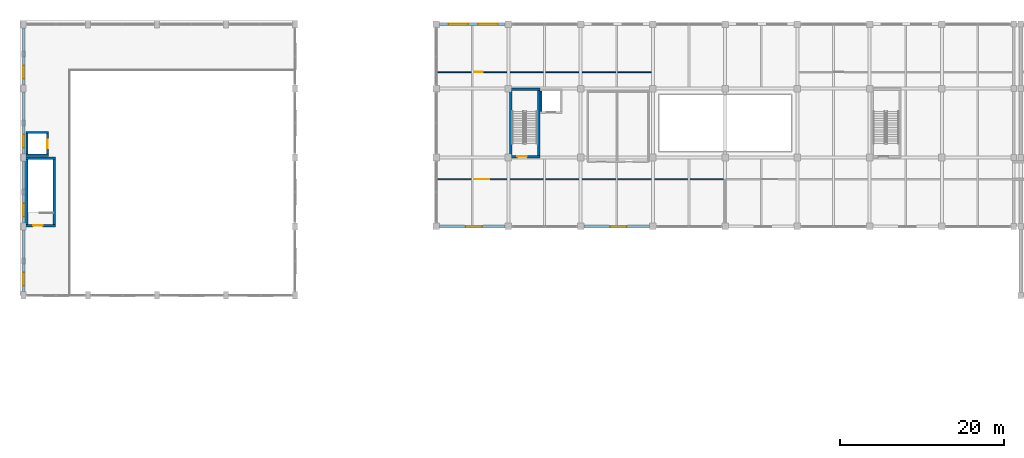
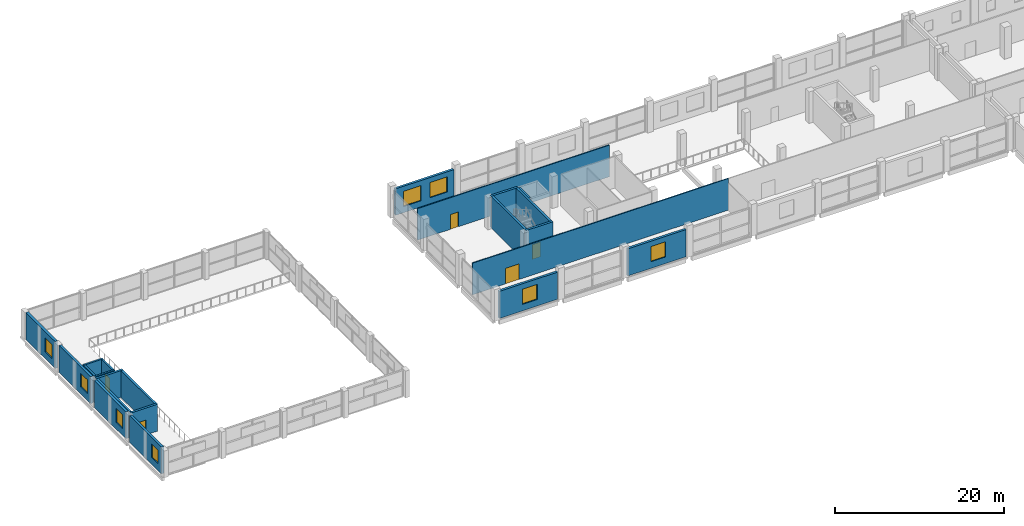
# One storey, part 20 of 31: 22 walls, 8 windows, 5 doors, 13 openings.
"""IFC4 building model written with IfcOpenShell, lengths in metres."""

from ifc_helpers import new_model, si_unit, direction, frame, frame_2d, origin, place, context, subcontext, project, spatial, rectangle, extrude, material, layer, layer_set, type_object, element, fill, save


model = new_model("IFC4")

# Units and contexts
model_context = context("Model", 3, precision=1e-05, world=origin(), true_north=direction((0.0, 1.0)))
body_context = subcontext(model_context, "Body", "Model", "MODEL_VIEW")
ifc_project = project(units=[si_unit("LENGTHUNIT", "METRE"), si_unit("AREAUNIT", "SQUARE_METRE"), si_unit("VOLUMEUNIT", "CUBIC_METRE"), si_unit("PLANEANGLEUNIT", "RADIAN"), si_unit("MASSUNIT", "GRAM", prefix="KILO")], contexts=[model_context])

# Site, building, storey
site_placement = place(None, origin())
site = spatial("IfcSite", under=ifc_project, at=site_placement, CompositionType="ELEMENT")
building_placement = place(site_placement, origin())
building = spatial("IfcBuilding", under=site, at=building_placement, Name="Brinegate Botanical Conservatory", CompositionType="ELEMENT")
storey_placement = place(building_placement, frame((0.0, 0.0, 5.39990234375)))
storey = spatial("IfcBuildingStorey", under=building, at=storey_placement, Name="L02", CompositionType="ELEMENT", Elevation=5.39990234375)

# Wall, openings, windows
ifc_material_1 = material(Name="Insulated Minnan red clay brick masonry", Category="masonry")
ifc_layer_1 = layer(ifc_material_1, 0.320068359375, Name="Insulated Minnan red clay brick masonry", Category="masonry")
ifc_layer_set_1 = layer_set([ifc_layer_1], Name="Insulated Minnan red clay brick masonry")
wall_type_1 = type_object("IfcWallType", Name="Wall_EW-320B", PredefinedType="STANDARD", material=ifc_layer_set_1)
wall_1_placement = place(storey_placement, frame((51.199951171875, 111.449951171875, 0.0), z_axis=(0.0, 0.0, 1.0), x_axis=(1.0, 0.0, 0.0)))
wall_1 = element("IfcWall", 1, at=wall_1_placement, inside=storey, type_object=wall_type_1, Name="Visitor north brick bay wall L02.1", PredefinedType="STANDARD", context=body_context, shape_type="SweptSolid", body=[
    extrude(rectangle(XDim=8.0, YDim=0.320068359375, at=frame_2d((4.0, 0.0))), origin(), (0.0, 0.0, 1.0), 3.830078125),
])
opening_1_placement = place(wall_1_placement, frame((1.10009765625, 0.0, 0.89990234375)))
opening_1 = element("IfcOpeningElement", 2, at=opening_1_placement, cuts=wall_1, Name="Opening WN-09", PredefinedType="OPENING", context=body_context, shape_type="SweptSolid", body=[
    extrude(rectangle(XDim=2.39990234375, YDim=2.199951171875, at=frame_2d((1.199951171875, 1.10009765625))), frame((0.0, 0.169921875, 0.0), z_axis=(0.0, -1.0, 0.0), x_axis=(1.0, 0.0, 0.0)), (0.0, 0.0, 1.0), 0.340087890625),
])
opening_2_placement = place(wall_1_placement, frame((4.699951171875, 0.0, 0.89990234375)))
opening_2 = element("IfcOpeningElement", 3, at=opening_2_placement, cuts=wall_1, Name="Opening WN-09", PredefinedType="OPENING", context=body_context, shape_type="SweptSolid", body=[
    extrude(rectangle(XDim=2.39990234375, YDim=2.199951171875, at=frame_2d((1.199951171875, 1.10009765625))), frame((0.0, 0.169921875, 0.0), z_axis=(0.0, -1.0, 0.0), x_axis=(1.0, 0.0, 0.0)), (0.0, 0.0, 1.0), 0.340087890625),
])
ifc_material_2 = material(Name="Thermally broken aluminium-framed Low-E glass", Category="aluminium")
window_type_1 = type_object("IfcWindowType", Name="Win_WN-09", PartitioningType="TRIPLE_PANEL_VERTICAL", PredefinedType="WINDOW", material=ifc_material_2)
window_1_placement = place(opening_1_placement, origin())
window_1 = element("IfcWindow", 4, at=window_1_placement, inside=storey, type_object=window_type_1, Name="Visitor north window L02.1A", OverallHeight=2.199951171875, OverallWidth=2.39990234375, PartitioningType="TRIPLE_PANEL_VERTICAL", PredefinedType="WINDOW", context=body_context, shape_type="SweptSolid", body=[
    extrude(rectangle(XDim=2.39990234375, YDim=2.199951171875, at=frame_2d((1.199951171875, 1.10009765625))), frame((0.0, 0.030029296875, 0.0), z_axis=(0.0, -1.0, 0.0), x_axis=(1.0, 0.0, 0.0)), (0.0, 0.0, 1.0), 0.06005859375),
])
fill(opening_1, window_1)
window_2_placement = place(opening_2_placement, origin())
window_2 = element("IfcWindow", 5, at=window_2_placement, inside=storey, type_object=window_type_1, Name="Visitor north window L02.1B", OverallHeight=2.199951171875, OverallWidth=2.39990234375, PartitioningType="TRIPLE_PANEL_VERTICAL", PredefinedType="WINDOW", context=body_context, shape_type="SweptSolid", body=[
    extrude(rectangle(XDim=2.39990234375, YDim=2.199951171875, at=frame_2d((1.199951171875, 1.10009765625))), frame((0.0, 0.030029296875, 0.0), z_axis=(0.0, -1.0, 0.0), x_axis=(1.0, 0.0, 0.0)), (0.0, 0.0, 1.0), 0.06005859375),
])
fill(opening_2, window_2)

# Wall, opening, window
wall_2_placement = place(storey_placement, frame((59.199951171875, 86.800048828125, 0.0), z_axis=(0.0, 0.0, 1.0), x_axis=(-1.0, 0.0, 0.0)))
wall_2 = element("IfcWall", 6, at=wall_2_placement, inside=storey, type_object=wall_type_1, Name="Visitor south brick wall L02.1", PredefinedType="STANDARD", context=body_context, shape_type="SweptSolid", body=[
    extrude(rectangle(XDim=8.0, YDim=0.320068359375, at=frame_2d((4.0, 0.0))), origin(), (0.0, 0.0, 1.0), 3.93017578125),
])
opening_3_placement = place(wall_2_placement, frame((2.800048828125, 0.0, 0.949951171875)))
opening_3 = element("IfcOpeningElement", 7, at=opening_3_placement, cuts=wall_2, Name="Opening WN-11", PredefinedType="OPENING", context=body_context, shape_type="SweptSolid", body=[
    extrude(rectangle(XDim=2.0, YDim=2.199951171875, at=frame_2d((1.0, 1.10009765625))), frame((0.0, 0.169921875, 0.0), z_axis=(0.0, -1.0, 0.0), x_axis=(1.0, 0.0, 0.0)), (0.0, 0.0, 1.0), 0.340087890625),
])
window_type_2 = type_object("IfcWindowType", Name="Win_WN-11", PartitioningType="DOUBLE_PANEL_VERTICAL", PredefinedType="WINDOW", material=ifc_material_2)
window_3_placement = place(opening_3_placement, origin())
window_3 = element("IfcWindow", 8, at=window_3_placement, inside=storey, type_object=window_type_2, Name="Visitor south court window L02.1", OverallHeight=2.199951171875, OverallWidth=2.0, PartitioningType="DOUBLE_PANEL_VERTICAL", PredefinedType="WINDOW", context=body_context, shape_type="SweptSolid", body=[
    extrude(rectangle(XDim=2.0, YDim=2.199951171875, at=frame_2d((1.0, 1.10009765625))), frame((0.0, 0.030029296875, 0.0), z_axis=(0.0, -1.0, 0.0), x_axis=(1.0, 0.0, 0.0)), (0.0, 0.0, 1.0), 0.06005859375),
])
fill(opening_3, window_3)

wall_3_placement = place(storey_placement, frame((76.800048828125, 86.800048828125, 0.0), z_axis=(0.0, 0.0, 1.0), x_axis=(-1.0, 0.0, 0.0)))
wall_3 = element("IfcWall", 9, at=wall_3_placement, inside=storey, type_object=wall_type_1, Name="Visitor south brick wall L02.3", PredefinedType="STANDARD", context=body_context, shape_type="SweptSolid", body=[
    extrude(rectangle(XDim=8.0, YDim=0.320068359375, at=frame_2d((4.0, 0.0))), origin(), (0.0, 0.0, 1.0), 3.93017578125),
])
opening_4_placement = place(wall_3_placement, frame((2.800048828125, 0.0, 0.949951171875)))
opening_4 = element("IfcOpeningElement", 10, at=opening_4_placement, cuts=wall_3, Name="Opening WN-11", PredefinedType="OPENING", context=body_context, shape_type="SweptSolid", body=[
    extrude(rectangle(XDim=2.0, YDim=2.199951171875, at=frame_2d((1.0, 1.10009765625))), frame((0.0, 0.169921875, 0.0), z_axis=(0.0, -1.0, 0.0), x_axis=(1.0, 0.0, 0.0)), (0.0, 0.0, 1.0), 0.340087890625),
])
window_4_placement = place(opening_4_placement, origin())
window_4 = element("IfcWindow", 11, at=window_4_placement, inside=storey, type_object=window_type_2, Name="Visitor south court window L02.3", OverallHeight=2.199951171875, OverallWidth=2.0, PartitioningType="DOUBLE_PANEL_VERTICAL", PredefinedType="WINDOW", context=body_context, shape_type="SweptSolid", body=[
    extrude(rectangle(XDim=2.0, YDim=2.199951171875, at=frame_2d((1.0, 1.10009765625))), frame((0.0, 0.030029296875, 0.0), z_axis=(0.0, -1.0, 0.0), x_axis=(1.0, 0.0, 0.0)), (0.0, 0.0, 1.0), 0.06005859375),
])
fill(opening_4, window_4)

ifc_layer_2 = layer(ifc_material_1, 0.340087890625, Name="Insulated Minnan red clay brick masonry", Category="masonry")
ifc_layer_set_2 = layer_set([ifc_layer_2], Name="Insulated Minnan red clay brick masonry")
wall_type_2 = type_object("IfcWallType", Name="Wall_EW-340B", PredefinedType="STANDARD", material=ifc_layer_set_2)
wall_4_placement = place(storey_placement, frame((0.550048828125, 78.85009765625, 0.0), z_axis=(0.0, 0.0, 1.0), x_axis=(0.0, 1.0, 0.0)))
wall_4 = element("IfcWall", 12, at=wall_4_placement, inside=storey, type_object=wall_type_2, Name="Conservatory west red-brick wall L02.1", PredefinedType="STANDARD", context=body_context, shape_type="SweptSolid", body=[
    extrude(rectangle(XDim=7.5, YDim=0.340087890625, at=frame_2d((3.75, 0.0))), origin(), (0.0, 0.0, 1.0), 3.900146484375),
])
opening_5_placement = place(wall_4_placement, frame((0.75, 0.0, 1.0)))
opening_5 = element("IfcOpeningElement", 13, at=opening_5_placement, cuts=wall_4, Name="Opening WN-12", PredefinedType="OPENING", context=body_context, shape_type="SweptSolid", body=[
    extrude(rectangle(XDim=1.60009765625, YDim=2.0, at=frame_2d((0.800048828125, 1.0))), frame((0.0, 0.179931640625, 0.0), z_axis=(0.0, -1.0, 0.0), x_axis=(1.0, 0.0, 0.0)), (0.0, 0.0, 1.0), 0.360107421875),
])
window_type_3 = type_object("IfcWindowType", Name="Win_WN-12", PartitioningType="DOUBLE_PANEL_VERTICAL", PredefinedType="WINDOW", material=ifc_material_2)
window_5_placement = place(opening_5_placement, origin())
window_5 = element("IfcWindow", 14, at=window_5_placement, inside=storey, type_object=window_type_3, Name="Conservatory west gallery window L02.1", OverallHeight=2.0, OverallWidth=1.60009765625, PartitioningType="DOUBLE_PANEL_VERTICAL", PredefinedType="WINDOW", context=body_context, shape_type="SweptSolid", body=[
    extrude(rectangle(XDim=1.60009765625, YDim=2.0, at=frame_2d((0.800048828125, 1.0))), frame((0.0, 0.030029296875, 0.0), z_axis=(0.0, -1.0, 0.0), x_axis=(1.0, 0.0, 0.0)), (0.0, 0.0, 1.0), 0.06005859375),
])
fill(opening_5, window_5)

wall_5_placement = place(storey_placement, frame((0.550048828125, 87.25, 0.0), z_axis=(0.0, 0.0, 1.0), x_axis=(0.0, 1.0, 0.0)))
wall_5 = element("IfcWall", 15, at=wall_5_placement, inside=storey, type_object=wall_type_2, Name="Conservatory west red-brick wall L02.2", PredefinedType="STANDARD", context=body_context, shape_type="SweptSolid", body=[
    extrude(rectangle(XDim=7.5, YDim=0.340087890625, at=frame_2d((3.75, 0.0))), origin(), (0.0, 0.0, 1.0), 3.900146484375),
])
opening_6_placement = place(wall_5_placement, frame((0.75, 0.0, 1.0)))
opening_6 = element("IfcOpeningElement", 16, at=opening_6_placement, cuts=wall_5, Name="Opening WN-12", PredefinedType="OPENING", context=body_context, shape_type="SweptSolid", body=[
    extrude(rectangle(XDim=1.60009765625, YDim=2.0, at=frame_2d((0.800048828125, 1.0))), frame((0.0, 0.179931640625, 0.0), z_axis=(0.0, -1.0, 0.0), x_axis=(1.0, 0.0, 0.0)), (0.0, 0.0, 1.0), 0.360107421875),
])
window_6_placement = place(opening_6_placement, origin())
window_6 = element("IfcWindow", 17, at=window_6_placement, inside=storey, type_object=window_type_3, Name="Conservatory west gallery window L02.2", OverallHeight=2.0, OverallWidth=1.60009765625, PartitioningType="DOUBLE_PANEL_VERTICAL", PredefinedType="WINDOW", context=body_context, shape_type="SweptSolid", body=[
    extrude(rectangle(XDim=1.60009765625, YDim=2.0, at=frame_2d((0.800048828125, 1.0))), frame((0.0, 0.030029296875, 0.0), z_axis=(0.0, -1.0, 0.0), x_axis=(1.0, 0.0, 0.0)), (0.0, 0.0, 1.0), 0.06005859375),
])
fill(opening_6, window_6)

wall_6_placement = place(storey_placement, frame((0.550048828125, 95.64990234375, 0.0), z_axis=(0.0, 0.0, 1.0), x_axis=(0.0, 1.0, 0.0)))
wall_6 = element("IfcWall", 18, at=wall_6_placement, inside=storey, type_object=wall_type_2, Name="Conservatory west red-brick wall L02.3", PredefinedType="STANDARD", context=body_context, shape_type="SweptSolid", body=[
    extrude(rectangle(XDim=7.5, YDim=0.340087890625, at=frame_2d((3.75, 0.0))), origin(), (0.0, 0.0, 1.0), 3.900146484375),
])
opening_7_placement = place(wall_6_placement, frame((0.75, 0.0, 1.0)))
opening_7 = element("IfcOpeningElement", 19, at=opening_7_placement, cuts=wall_6, Name="Opening WN-12", PredefinedType="OPENING", context=body_context, shape_type="SweptSolid", body=[
    extrude(rectangle(XDim=1.60009765625, YDim=2.0, at=frame_2d((0.800048828125, 1.0))), frame((0.0, 0.179931640625, 0.0), z_axis=(0.0, -1.0, 0.0), x_axis=(1.0, 0.0, 0.0)), (0.0, 0.0, 1.0), 0.360107421875),
])
window_7_placement = place(opening_7_placement, origin())
window_7 = element("IfcWindow", 20, at=window_7_placement, inside=storey, type_object=window_type_3, Name="Conservatory west gallery window L02.3", OverallHeight=2.0, OverallWidth=1.60009765625, PartitioningType="DOUBLE_PANEL_VERTICAL", PredefinedType="WINDOW", context=body_context, shape_type="SweptSolid", body=[
    extrude(rectangle(XDim=1.60009765625, YDim=2.0, at=frame_2d((0.800048828125, 1.0))), frame((0.0, 0.030029296875, 0.0), z_axis=(0.0, -1.0, 0.0), x_axis=(1.0, 0.0, 0.0)), (0.0, 0.0, 1.0), 0.06005859375),
])
fill(opening_7, window_7)

wall_7_placement = place(storey_placement, frame((0.550048828125, 104.050048828125, 0.0), z_axis=(0.0, 0.0, 1.0), x_axis=(0.0, 1.0, 0.0)))
wall_7 = element("IfcWall", 21, at=wall_7_placement, inside=storey, type_object=wall_type_2, Name="Conservatory west red-brick wall L02.4", PredefinedType="STANDARD", context=body_context, shape_type="SweptSolid", body=[
    extrude(rectangle(XDim=6.949951171875, YDim=0.340087890625, at=frame_2d((3.47509765625, 0.0))), origin(), (0.0, 0.0, 1.0), 3.900146484375),
])
opening_8_placement = place(wall_7_placement, frame((0.75, 0.0, 1.0)))
opening_8 = element("IfcOpeningElement", 22, at=opening_8_placement, cuts=wall_7, Name="Opening WN-12", PredefinedType="OPENING", context=body_context, shape_type="SweptSolid", body=[
    extrude(rectangle(XDim=1.60009765625, YDim=2.0, at=frame_2d((0.800048828125, 1.0))), frame((0.0, 0.179931640625, 0.0), z_axis=(0.0, -1.0, 0.0), x_axis=(1.0, 0.0, 0.0)), (0.0, 0.0, 1.0), 0.360107421875),
])
window_8_placement = place(opening_8_placement, origin())
window_8 = element("IfcWindow", 23, at=window_8_placement, inside=storey, type_object=window_type_3, Name="Conservatory west gallery window L02.4", OverallHeight=2.0, OverallWidth=1.60009765625, PartitioningType="DOUBLE_PANEL_VERTICAL", PredefinedType="WINDOW", context=body_context, shape_type="SweptSolid", body=[
    extrude(rectangle(XDim=1.60009765625, YDim=2.0, at=frame_2d((0.800048828125, 1.0))), frame((0.0, 0.030029296875, 0.0), z_axis=(0.0, -1.0, 0.0), x_axis=(1.0, 0.0, 0.0)), (0.0, 0.0, 1.0), 0.06005859375),
])
fill(opening_8, window_8)

# Wall, opening, door
ifc_material_3 = material(Name="Gypsum-clad acoustic steel-stud partition", Category="steel")
ifc_layer_3 = layer(ifc_material_3, 0.14501953125, Name="Gypsum-clad acoustic steel-stud partition", Category="steel")
ifc_layer_set_3 = layer_set([ifc_layer_3], Name="Gypsum-clad acoustic steel-stud partition")
wall_type_3 = type_object("IfcWallType", Name="Wall_PW-150", PredefinedType="PARTITIONING", material=ifc_layer_set_3)
wall_8_placement = place(storey_placement, frame((50.919921875, 92.550048828125, 0.0), z_axis=(0.0, 0.0, 1.0), x_axis=(1.0, 0.0, 0.0)))
wall_8 = element("IfcWall", 24, at=wall_8_placement, inside=storey, type_object=wall_type_3, Name="Interior partition P-L02-V3-EXH1", PredefinedType="PARTITIONING", context=body_context, shape_type="SweptSolid", body=[
    extrude(rectangle(XDim=35.080078125, YDim=0.14501953125, at=frame_2d((17.5400390625, 0.0))), origin(), (0.0, 0.0, 1.0), 4.580078125),
])
opening_9_placement = place(wall_8_placement, frame((4.5, 0.0, 0.0)))
opening_9 = element("IfcOpeningElement", 25, at=opening_9_placement, cuts=wall_8, Name="Opening DR-DBL1", PredefinedType="OPENING", context=body_context, shape_type="SweptSolid", body=[
    extrude(rectangle(XDim=1.85009765625, YDim=2.25, at=frame_2d((0.925048828125, 1.125))), frame((0.0, 0.08251953125, 0.0), z_axis=(0.0, -1.0, 0.0), x_axis=(1.0, 0.0, 0.0)), (0.0, 0.0, 1.0), 0.1650390625),
])
ifc_material_4 = material(Name="Anodised aluminium and safety glass", Category="aluminium")
door_type_1 = type_object("IfcDoorType", Name="Door_DR-DBL1", OperationType="NOTDEFINED", PredefinedType="DOOR", material=ifc_material_4)
door_1_placement = place(opening_9_placement, origin())
door_1 = element("IfcDoor", 26, at=door_1_placement, inside=storey, type_object=door_type_1, Name="DR-P-L02-V3-EXH1-1", OperationType="SINGLE_SWING_LEFT", OverallHeight=2.25, OverallWidth=1.85009765625, PredefinedType="DOOR", context=body_context, shape_type="SweptSolid", body=[
    extrude(rectangle(XDim=1.85009765625, YDim=2.25, at=frame_2d((0.925048828125, 1.125))), frame((0.0, 0.02490234375, 0.0), z_axis=(0.0, -1.0, 0.0), x_axis=(1.0, 0.0, 0.0)), (0.0, 0.0, 1.0), 0.050048828125),
])
fill(opening_9, door_1)

wall_9_placement = place(storey_placement, frame((50.919921875, 105.60009765625, 0.0), z_axis=(0.0, 0.0, 1.0), x_axis=(1.0, 0.0, 0.0)))
wall_9 = element("IfcWall", 27, at=wall_9_placement, inside=storey, type_object=wall_type_3, Name="Interior partition P-L02-V3-WORK1", PredefinedType="PARTITIONING", context=body_context, shape_type="SweptSolid", body=[
    extrude(rectangle(XDim=26.280029296875, YDim=0.14501953125, at=frame_2d((13.14013671875, 0.0))), origin(), (0.0, 0.0, 1.0), 4.580078125),
])
opening_10_placement = place(wall_9_placement, frame((4.5, 0.0, 0.0)))
opening_10 = element("IfcOpeningElement", 28, at=opening_10_placement, cuts=wall_9, Name="Opening DR-01", PredefinedType="OPENING", context=body_context, shape_type="SweptSolid", body=[
    extrude(rectangle(XDim=1.080078125, YDim=2.14990234375, at=frame_2d((0.5400390625, 1.074951171875))), frame((0.0, 0.08251953125, 0.0), z_axis=(0.0, -1.0, 0.0), x_axis=(1.0, 0.0, 0.0)), (0.0, 0.0, 1.0), 0.1650390625),
])
ifc_material_5 = material(Name="Hardwood timber acoustic leaf", Category="wood")
door_type_2 = type_object("IfcDoorType", Name="Door_DR-01", OperationType="NOTDEFINED", PredefinedType="DOOR", material=ifc_material_5)
door_2_placement = place(opening_10_placement, origin())
door_2 = element("IfcDoor", 29, at=door_2_placement, inside=storey, type_object=door_type_2, Name="DR-P-L02-V3-WORK1-1", OperationType="SINGLE_SWING_RIGHT", OverallHeight=2.14990234375, OverallWidth=1.080078125, PredefinedType="DOOR", context=body_context, shape_type="SweptSolid", body=[
    extrude(rectangle(XDim=1.080078125, YDim=2.14990234375, at=frame_2d((0.5400390625, 1.074951171875))), frame((0.0, 0.02490234375, 0.0), z_axis=(0.0, -1.0, 0.0), x_axis=(1.0, 0.0, 0.0)), (0.0, 0.0, 1.0), 0.050048828125),
])
fill(opening_10, door_2)

# Walls
ifc_material_6 = material(Name="Concrete C40/50", Category="concrete")
ifc_layer_4 = layer(ifc_material_6, 0.25, Name="Concrete C40/50", Category="concrete")
ifc_layer_set_4 = layer_set([ifc_layer_4], Name="Concrete C40/50")
wall_type_4 = type_object("IfcWallType", Name="Wall_SW-250", PredefinedType="SHEAR", material=ifc_layer_set_4)
wall_10_placement = place(storey_placement, frame((63.574951171875, 100.800048828125, 0.0), z_axis=(0.0, 0.0, 1.0), x_axis=(0.0, 1.0, 0.0)))
element("IfcWall", 30, at=wall_10_placement, inside=storey, type_object=wall_type_4, Name="Lift shaft LF5 shear wall L02 W", PredefinedType="SHEAR", context=body_context, shape_type="SweptSolid", body=[
    extrude(rectangle(XDim=2.5, YDim=0.25, at=frame_2d((1.25, 0.0))), origin(), (0.0, 0.0, 1.0), 4.580078125),
])
for number, where, z_axis, x_axis, name in (
    (31, (0.85009765625, 95.47509765625, 0.0), (0.0, 0.0, 1.0), (1.0, 0.0, 0.0), "Lift shaft LF7 shear wall L02 S"),
    (32, (0.85009765625, 98.22509765625, 0.0), (0.0, 0.0, 1.0), (1.0, 0.0, 0.0), "Lift shaft LF7 shear wall L02 N"),
):
    element("IfcWall", number, at=place(storey_placement, frame(where, z_axis=z_axis, x_axis=x_axis)), inside=storey, type_object=wall_type_4, Name=name, PredefinedType="SHEAR", context=body_context, shape_type="SweptSolid", body=[
        extrude(rectangle(XDim=2.699951171875, YDim=0.25, at=frame_2d((1.35009765625, 0.0))), origin(), (0.0, 0.0, 1.0), 3.900146484375),
    ])
wall_11_placement = place(storey_placement, frame((0.97509765625, 95.60009765625, 0.0), z_axis=(0.0, 0.0, 1.0), x_axis=(0.0, 1.0, 0.0)))
element("IfcWall", 33, at=wall_11_placement, inside=storey, type_object=wall_type_4, Name="Lift shaft LF7 shear wall L02 W", PredefinedType="SHEAR", context=body_context, shape_type="SweptSolid", body=[
    extrude(rectangle(XDim=2.5, YDim=0.25, at=frame_2d((1.25, 0.0))), origin(), (0.0, 0.0, 1.0), 3.900146484375),
])

# Wall, opening, door
wall_12_placement = place(storey_placement, frame((3.425048828125, 95.60009765625, 0.0), z_axis=(0.0, 0.0, 1.0), x_axis=(0.0, 1.0, 0.0)))
wall_12 = element("IfcWall", 34, at=wall_12_placement, inside=storey, type_object=wall_type_4, Name="Lift shaft LF7 shear wall L02 E", PredefinedType="SHEAR", context=body_context, shape_type="SweptSolid", body=[
    extrude(rectangle(XDim=2.5, YDim=0.25, at=frame_2d((1.25, 0.0))), origin(), (0.0, 0.0, 1.0), 3.900146484375),
])
opening_11_placement = place(wall_12_placement, frame((0.7099609375, 0.0, 0.0)))
opening_11 = element("IfcOpeningElement", 35, at=opening_11_placement, cuts=wall_12, Name="Opening LD-07", PredefinedType="OPENING", context=body_context, shape_type="SweptSolid", body=[
    extrude(rectangle(XDim=1.080078125, YDim=2.179931640625, at=frame_2d((0.5400390625, 1.08984375))), frame((0.0, 0.135009765625, 0.0), z_axis=(0.0, -1.0, 0.0), x_axis=(1.0, 0.0, 0.0)), (0.0, 0.0, 1.0), 0.27001953125),
])
ifc_material_7 = material(Name="Glazed stainless steel S355 landing door", Category="steel")
door_type_3 = type_object("IfcDoorType", Name="Door_LD-07", OperationType="SLIDING_TO_LEFT", PredefinedType="DOOR", material=ifc_material_7)
door_3_placement = place(opening_11_placement, origin())
door_3 = element("IfcDoor", 36, at=door_3_placement, inside=storey, type_object=door_type_3, Name="LD-LF7-L02", OperationType="SLIDING_TO_LEFT", OverallHeight=2.179931640625, OverallWidth=1.080078125, PredefinedType="DOOR", context=body_context, shape_type="SweptSolid", body=[
    extrude(rectangle(XDim=1.080078125, YDim=2.179931640625, at=frame_2d((0.5400390625, 1.08984375))), frame((0.0, 0.02490234375, 0.0), z_axis=(0.0, -1.0, 0.0), x_axis=(1.0, 0.0, 0.0)), (0.0, 0.0, 1.0), 0.050048828125),
])
fill(opening_11, door_3)

ifc_layer_5 = layer(ifc_material_6, 0.300048828125, Name="Concrete C40/50", Category="concrete")
ifc_layer_set_5 = layer_set([ifc_layer_5], Name="Concrete C40/50")
wall_type_5 = type_object("IfcWallType", Name="Wall_SW-300", PredefinedType="SHEAR", material=ifc_layer_set_5)
wall_13_placement = place(storey_placement, frame((59.75, 95.300048828125, 0.0), z_axis=(0.0, 0.0, 1.0), x_axis=(1.0, 0.0, 0.0)))
wall_13 = element("IfcWall", 37, at=wall_13_placement, inside=storey, type_object=wall_type_5, Name="Stairwell ST3 shear wall L02 S", PredefinedType="SHEAR", context=body_context, shape_type="SweptSolid", body=[
    extrude(rectangle(XDim=3.699951171875, YDim=0.300048828125, at=frame_2d((1.85009765625, 0.0))), origin(), (0.0, 0.0, 1.0), 4.580078125),
])
opening_12_placement = place(wall_13_placement, frame((0.949951171875, 0.0, 0.0)))
opening_12 = element("IfcOpeningElement", 38, at=opening_12_placement, cuts=wall_13, Name="Opening FD-B3", PredefinedType="OPENING", context=body_context, shape_type="SweptSolid", body=[
    extrude(rectangle(XDim=1.14990234375, YDim=2.14990234375, at=frame_2d((0.574951171875, 1.074951171875))), frame((0.0, 0.159912109375, 0.0), z_axis=(0.0, -1.0, 0.0), x_axis=(1.0, 0.0, 0.0)), (0.0, 0.0, 1.0), 0.320068359375),
])
ifc_material_8 = material(Name="Steel stairwell fire door", Category="steel")
door_type_4 = type_object("IfcDoorType", Name="Door_FD-B3", OperationType="NOTDEFINED", PredefinedType="DOOR", material=ifc_material_8)
door_4_placement = place(opening_12_placement, origin())
door_4 = element("IfcDoor", 39, at=door_4_placement, inside=storey, type_object=door_type_4, Name="DR-ST-ST3-L02", OperationType="SINGLE_SWING_RIGHT", OverallHeight=2.14990234375, OverallWidth=1.14990234375, PredefinedType="DOOR", context=body_context, shape_type="SweptSolid", body=[
    extrude(rectangle(XDim=1.14990234375, YDim=2.14990234375, at=frame_2d((0.574951171875, 1.074951171875))), frame((0.0, 0.02490234375, 0.0), z_axis=(0.0, -1.0, 0.0), x_axis=(1.0, 0.0, 0.0)), (0.0, 0.0, 1.0), 0.050048828125),
])
fill(opening_12, door_4)

# Walls
wall_14_placement = place(storey_placement, frame((59.75, 103.5, 0.0), z_axis=(0.0, 0.0, 1.0), x_axis=(1.0, 0.0, 0.0)))
element("IfcWall", 40, at=wall_14_placement, inside=storey, type_object=wall_type_5, Name="Stairwell ST3 shear wall L02 N", PredefinedType="SHEAR", context=body_context, shape_type="SweptSolid", body=[
    extrude(rectangle(XDim=3.699951171875, YDim=0.300048828125, at=frame_2d((1.85009765625, 0.0))), origin(), (0.0, 0.0, 1.0), 4.580078125),
])
for number, where, z_axis, x_axis, name in (
    (41, (59.89990234375, 95.449951171875, 0.0), (0.0, 0.0, 1.0), (0.0, 1.0, 0.0), "Stairwell ST3 shear wall L02 W"),
    (42, (63.300048828125, 95.449951171875, 0.0), (0.0, 0.0, 1.0), (0.0, 1.0, 0.0), "Stairwell ST3 shear wall L02 E"),
):
    element("IfcWall", number, at=place(storey_placement, frame(where, z_axis=z_axis, x_axis=x_axis)), inside=storey, type_object=wall_type_5, Name=name, PredefinedType="SHEAR", context=body_context, shape_type="SweptSolid", body=[
        extrude(rectangle(XDim=7.900146484375, YDim=0.300048828125, at=frame_2d((3.9501953125, 0.0))), origin(), (0.0, 0.0, 1.0), 4.580078125),
    ])

# Wall, opening, door
wall_15_placement = place(storey_placement, frame((0.75, 86.89990234375, 0.0), z_axis=(0.0, 0.0, 1.0), x_axis=(1.0, 0.0, 0.0)))
wall_15 = element("IfcWall", 43, at=wall_15_placement, inside=storey, type_object=wall_type_5, Name="Stairwell ST7 shear wall L02 S", PredefinedType="SHEAR", context=body_context, shape_type="SweptSolid", body=[
    extrude(rectangle(XDim=3.699951171875, YDim=0.300048828125, at=frame_2d((1.85009765625, 0.0))), origin(), (0.0, 0.0, 1.0), 3.900146484375),
])
opening_13_placement = place(wall_15_placement, frame((0.949951171875, 0.0, 0.0)))
opening_13 = element("IfcOpeningElement", 44, at=opening_13_placement, cuts=wall_15, Name="Opening FD-B1", PredefinedType="OPENING", context=body_context, shape_type="SweptSolid", body=[
    extrude(rectangle(XDim=1.14990234375, YDim=2.14990234375, at=frame_2d((0.574951171875, 1.074951171875))), frame((0.0, 0.159912109375, 0.0), z_axis=(0.0, -1.0, 0.0), x_axis=(1.0, 0.0, 0.0)), (0.0, 0.0, 1.0), 0.320068359375),
])
ifc_material_9 = material(Name="Steel smoke-proof fire door assembly", Category="steel")
door_type_5 = type_object("IfcDoorType", Name="Door_FD-B1", OperationType="NOTDEFINED", PredefinedType="DOOR", material=ifc_material_9)
door_5_placement = place(opening_13_placement, origin())
door_5 = element("IfcDoor", 45, at=door_5_placement, inside=storey, type_object=door_type_5, Name="DR-ST-ST7-L02", OperationType="SINGLE_SWING_RIGHT", OverallHeight=2.14990234375, OverallWidth=1.14990234375, PredefinedType="DOOR", context=body_context, shape_type="SweptSolid", body=[
    extrude(rectangle(XDim=1.14990234375, YDim=2.14990234375, at=frame_2d((0.574951171875, 1.074951171875))), frame((0.0, 0.02490234375, 0.0), z_axis=(0.0, -1.0, 0.0), x_axis=(1.0, 0.0, 0.0)), (0.0, 0.0, 1.0), 0.050048828125),
])
fill(opening_13, door_5)

# Walls
wall_16_placement = place(storey_placement, frame((0.75, 95.10009765625, 0.0), z_axis=(0.0, 0.0, 1.0), x_axis=(1.0, 0.0, 0.0)))
element("IfcWall", 46, at=wall_16_placement, inside=storey, type_object=wall_type_5, Name="Stairwell ST7 shear wall L02 N", PredefinedType="SHEAR", context=body_context, shape_type="SweptSolid", body=[
    extrude(rectangle(XDim=3.699951171875, YDim=0.300048828125, at=frame_2d((1.85009765625, 0.0))), origin(), (0.0, 0.0, 1.0), 3.900146484375),
])
for number, where, z_axis, x_axis, name in (
    (47, (0.89990234375, 87.050048828125, 0.0), (0.0, 0.0, 1.0), (0.0, 1.0, 0.0), "Stairwell ST7 shear wall L02 W"),
    (48, (4.300048828125, 87.050048828125, 0.0), (0.0, 0.0, 1.0), (0.0, 1.0, 0.0), "Stairwell ST7 shear wall L02 E"),
):
    element("IfcWall", number, at=place(storey_placement, frame(where, z_axis=z_axis, x_axis=x_axis)), inside=storey, type_object=wall_type_5, Name=name, PredefinedType="SHEAR", context=body_context, shape_type="SweptSolid", body=[
        extrude(rectangle(XDim=7.89990234375, YDim=0.300048828125, at=frame_2d((3.949951171875, 0.0))), origin(), (0.0, 0.0, 1.0), 3.900146484375),
    ])

save(model, "model.ifc")
